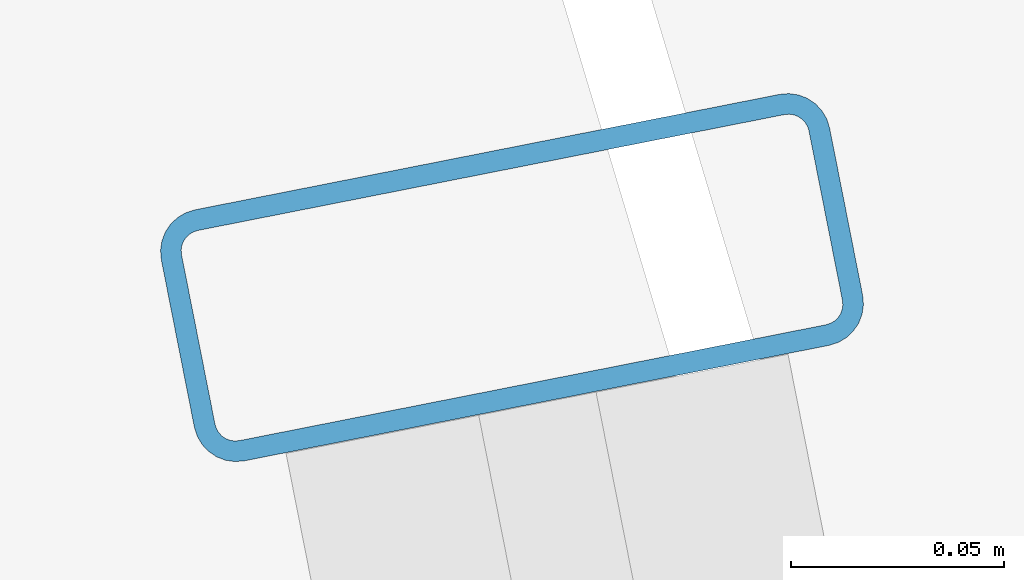
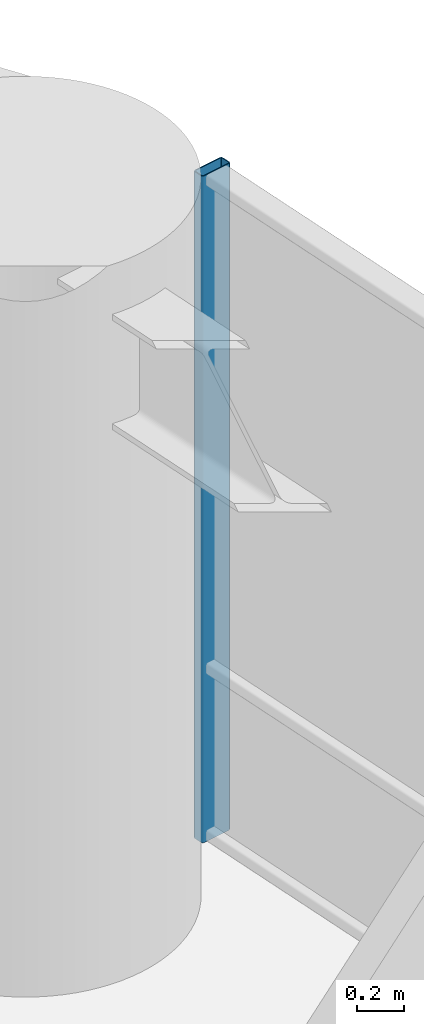
# One storey, part 20 of 33: 1 member, 1 element without a shape of its own.
"""IFC4 building model written with IfcOpenShell, lengths in metres."""

from ifc_helpers import new_model, si_unit, direction, frame, origin, origin_2d, place, context, subcontext, project, spatial, hollow_rectangle, extrude, material, layer, layer_set, material_profile, profile_set, type_object, element, aggregate, save


model = new_model("IFC4")

# Units and contexts
model_context = context("Model", 3, precision=1e-05, world=origin(), true_north=direction((0.0, 1.0)))
body_context = subcontext(model_context, "Body", "Model", "MODEL_VIEW")
ifc_project = project(units=[si_unit("LENGTHUNIT", "METRE"), si_unit("AREAUNIT", "SQUARE_METRE"), si_unit("VOLUMEUNIT", "CUBIC_METRE"), si_unit("PLANEANGLEUNIT", "RADIAN"), si_unit("MASSUNIT", "GRAM", prefix="KILO")], contexts=[model_context])

# Site, building, storey
site_placement = place(None, origin())
site = spatial("IfcSite", under=ifc_project, at=site_placement, CompositionType="ELEMENT")
building_placement = place(site_placement, origin())
building = spatial("IfcBuilding", under=site, at=building_placement, Name="Kelanora Arch Commons", CompositionType="ELEMENT")
storey_placement = place(building_placement, frame((0.0, 0.0, 37.5)))
storey = spatial("IfcBuildingStorey", under=building, at=storey_placement, Name="L09", CompositionType="ELEMENT", Elevation=37.5)

# Curtain wall, member
ifc_material_1 = material(Name="Terracotta ceramic-fritted low-E glass and aluminium", Category="masonry")
ifc_layer = layer(ifc_material_1, 0.159912109375)
ifc_layer_set = layer_set([ifc_layer], Name="Terracotta ceramic-fritted low-E glass and aluminium")
curtain_wall_type = type_object("IfcCurtainWallType", Name="CW-SYS-01", PredefinedType="NOTDEFINED", material=ifc_layer_set)
curtain_wall_placement = place(storey_placement, origin())
curtain_wall = element("IfcCurtainWall", 1, at=curtain_wall_placement, inside=storey, type_object=curtain_wall_type, Name="Unitised Curtain Wall L09-B00", PredefinedType="NOTDEFINED")
ifc_material_2 = material(Name="Powder-coated aluminium terracotta", Category="masonry")
ifc_material_profile = material_profile(ifc_material_2, hollow_rectangle(XDim=0.159912109375, YDim=0.06005859375, WallThickness=0.0048828125, InnerFilletRadius=0.0048828125, OuterFilletRadius=0.010009765625, at=origin_2d()), Name="CWM160x60")
ifc_profile_set = profile_set([ifc_material_profile], Name="Powder-coated aluminium terracotta")
member_type = type_object("IfcMemberType", Name="CWM-STD", PredefinedType="MULLION", material=ifc_profile_set)
member_placement = place(storey_placement, frame((100.371826171875, 66.243896484375, 0.0), z_axis=(0.0, 0.0, 1.0), x_axis=(-0.981052110579, -0.193744048498, 0.0)))
member = element("IfcMember", 2, at=member_placement, type_object=member_type, Name="CW-01 mullion 3", PredefinedType="MULLION", context=body_context, shape_type="SweptSolid", body=[
    extrude(hollow_rectangle(XDim=0.159912109375, YDim=0.06005859375, WallThickness=0.0048828125, InnerFilletRadius=0.0048828125, OuterFilletRadius=0.010009765625, at=origin_2d()), origin(), (0.0, 0.0, 1.0), 3.47509765625),
])
aggregate(curtain_wall, [member])

save(model, "model.ifc")
